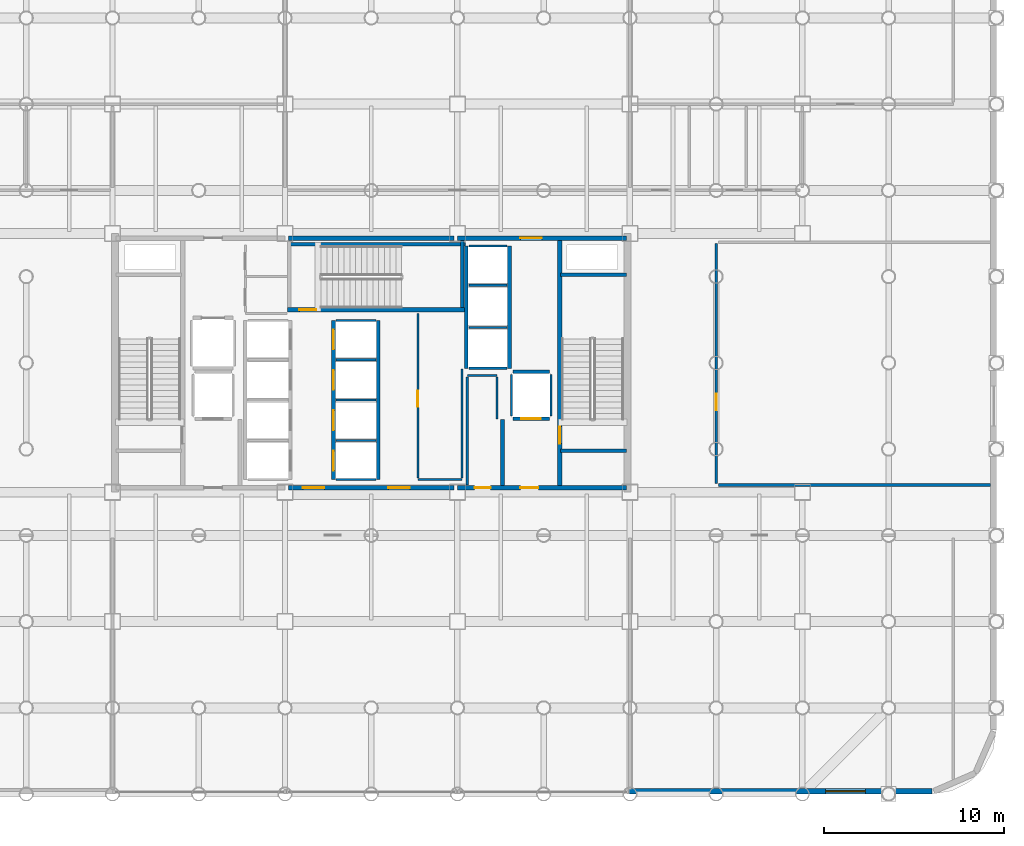
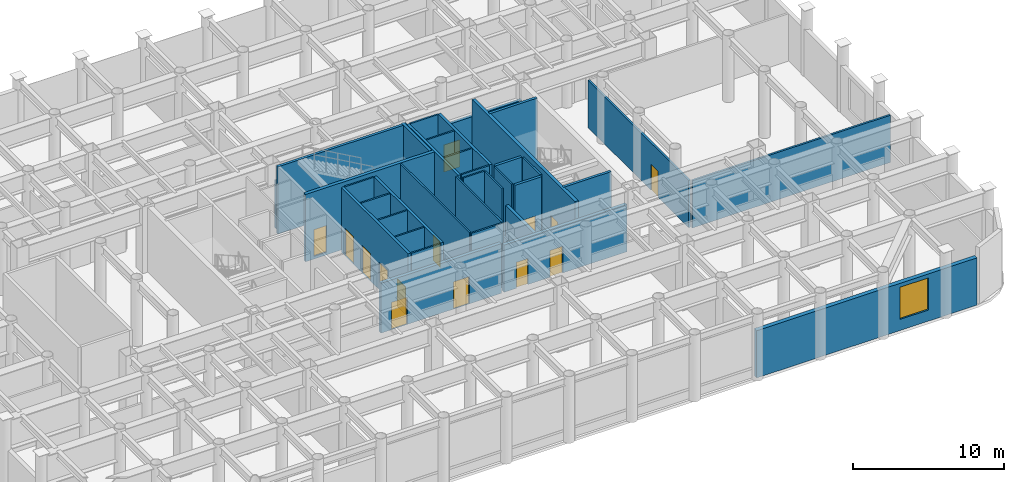
# One storey, part 15 of 20: 37 walls, 14 doors, 1 window, 15 openings.
"""IFC4 building model written with IfcOpenShell, lengths in metres."""

from ifc_helpers import new_model, si_unit, direction, frame, frame_2d, origin, place, context, subcontext, project, spatial, rectangle, extrude, material, layer, layer_set, type_object, element, fill, save


model = new_model("IFC4")

# Units and contexts
model_context = context("Model", 3, precision=1e-05, world=origin(), true_north=direction((0.0, 1.0)))
body_context = subcontext(model_context, "Body", "Model", "MODEL_VIEW")
ifc_project = project(units=[si_unit("LENGTHUNIT", "METRE"), si_unit("AREAUNIT", "SQUARE_METRE"), si_unit("VOLUMEUNIT", "CUBIC_METRE"), si_unit("PLANEANGLEUNIT", "RADIAN"), si_unit("MASSUNIT", "GRAM", prefix="KILO")], contexts=[model_context])

# Site, building, storey
site_placement = place(None, origin())
site = spatial("IfcSite", under=ifc_project, at=site_placement, CompositionType="ELEMENT")
building_placement = place(site_placement, origin())
building = spatial("IfcBuilding", under=site, at=building_placement, Name="Kallvorn Hotel Tower", CompositionType="ELEMENT")
storey_placement = place(building_placement, frame((0.0, 0.0, 24.60009765625)))
storey = spatial("IfcBuildingStorey", under=building, at=storey_placement, Name="L04", CompositionType="ELEMENT", Elevation=24.60009765625)

# Wall, opening, window
ifc_material_1 = material(Name="Precast basalt-clad insulated concrete wall C40/50", Category="masonry")
ifc_layer_1 = layer(ifc_material_1, 0.320068359375)
ifc_layer_set_1 = layer_set([ifc_layer_1], Name="WL_EXT_BAY_320")
wall_type_1 = type_object("IfcWallType", Name="WL_EXT_BAY_320", PredefinedType="SOLIDWALL", material=ifc_layer_set_1)
wall_1_placement = place(storey_placement, frame((31.199951171875, -23.840087890625, 0.0), z_axis=(0.0, 0.0, 1.0), x_axis=(-1.0, 0.0, 0.0)))
wall_1 = element("IfcWall", 1, at=wall_1_placement, inside=storey, type_object=wall_type_1, Name="L04 Podium Exterior Wall EW-L04-SE", PredefinedType="SOLIDWALL", context=body_context, shape_type="SweptSolid", body=[
    extrude(rectangle(XDim=16.849853515625, YDim=0.320068359375, at=frame_2d((8.4248046875, 0.0))), origin(), (0.0, 0.0, 1.0), 3.81982421875),
])
opening_1_placement = place(wall_1_placement, frame((3.699951171875, 0.0, 0.89990234375)))
opening_1 = element("IfcOpeningElement", 2, at=opening_1_placement, cuts=wall_1, Name="Opening W03", PredefinedType="OPENING", context=body_context, shape_type="SweptSolid", body=[
    extrude(rectangle(XDim=2.199951171875, YDim=2.60009765625, at=frame_2d((1.10009765625, 1.300048828125))), frame((0.0, 0.175048828125, 0.0), z_axis=(0.0, -1.0, 0.0), x_axis=(1.0, 0.0, 0.0)), (0.0, 0.0, 1.0), 0.35009765625),
])
ifc_material_2 = material(Name="Double-glazed low-e solar-control dark glass", Category="glass")
window_type = type_object("IfcWindowType", Name="WN_CASC_2200x2600", PartitioningType="SINGLE_PANEL", PredefinedType="WINDOW", material=ifc_material_2)
window_placement = place(opening_1_placement, origin())
window = element("IfcWindow", 3, at=window_placement, inside=storey, type_object=window_type, Name="L04 Podium Window EW-L04-SE", OverallHeight=2.60009765625, OverallWidth=2.199951171875, PartitioningType="SINGLE_PANEL", PredefinedType="WINDOW", context=body_context, shape_type="SweptSolid", body=[
    extrude(rectangle(XDim=2.199951171875, YDim=2.60009765625, at=frame_2d((1.10009765625, 1.300048828125))), frame((0.0, 0.030029296875, 0.0), z_axis=(0.0, -1.0, 0.0), x_axis=(1.0, 0.0, 0.0)), (0.0, 0.0, 1.0), 0.06005859375),
])
fill(opening_1, window)

# Walls
ifc_material_3 = material(Name="Concrete C40/50", Category="concrete")
ifc_layer_2 = layer(ifc_material_3, 0.219970703125)
ifc_layer_set_2 = layer_set([ifc_layer_2], Name="WL_FFL_220")
wall_type_2 = type_object("IfcWallType", Name="WL_FFL_220", PredefinedType="SOLIDWALL", material=ifc_layer_set_2)
wall_2_placement = place(storey_placement, frame((7.300048828125, -6.820068359375, 0.0), z_axis=(0.0, 0.0, 1.0), x_axis=(0.0, 1.0, 0.0)))
element("IfcWall", 4, at=wall_2_placement, inside=storey, type_object=wall_type_2, Name="L04 Firefighting Lobby East Divider Wall", PredefinedType="SOLIDWALL", context=body_context, shape_type="SweptSolid", body=[
    extrude(rectangle(XDim=3.670166015625, YDim=0.219970703125, at=frame_2d((1.8349609375, 0.0))), origin(), (0.0, 0.0, 1.0), 3.81982421875),
])
ifc_material_4 = material(Name="Concrete C40/50", Category="concrete")
ifc_layer_3 = layer(ifc_material_4, 0.199951171875)
ifc_layer_set_3 = layer_set([ifc_layer_3], Name="WL_HOIST_200")
wall_type_3 = type_object("IfcWallType", Name="WL_HOIST_200", PredefinedType="SOLIDWALL", material=ifc_layer_set_3)
for number, where, z_axis, x_axis, name in (
    (5, (10.550048828125, -4.89990234375, -0.22021484375), (0.0, 0.0, 1.0), (1.0, 0.0, 0.0), "L04 Stair ST2 South Wall"),
    (6, (10.550048828125, 4.89990234375, -0.22021484375), (0.0, 0.0, 1.0), (1.0, 0.0, 0.0), "L04 Stair ST2 North Wall"),
):
    element("IfcWall", number, at=place(storey_placement, frame(where, z_axis=z_axis, x_axis=x_axis)), inside=storey, type_object=wall_type_3, Name=name, PredefinedType="SOLIDWALL", context=body_context, shape_type="SweptSolid", body=[
        extrude(rectangle(XDim=3.64990234375, YDim=0.199951171875, at=frame_2d((1.824951171875, 0.0))), origin(), (0.0, 0.0, 1.0), 5.440185546875),
    ])
wall_3_placement = place(storey_placement, frame((-4.64990234375, 6.610107421875, -0.22021484375), z_axis=(0.0, 0.0, 1.0), x_axis=(1.0, 0.0, 0.0)))
element("IfcWall", 7, at=wall_3_placement, inside=storey, type_object=wall_type_3, Name="L04 Stair ST3 Shaft North Wall", PredefinedType="SOLIDWALL", context=body_context, shape_type="SweptSolid", body=[
    extrude(rectangle(XDim=9.89990234375, YDim=0.199951171875, at=frame_2d((4.949951171875, 0.0))), origin(), (0.0, 0.0, 1.0), 5.440185546875),
])
wall_4_placement = place(storey_placement, frame((5.06005859375, 3.080078125, -0.22021484375), z_axis=(0.0, 0.0, 1.0), x_axis=(0.0, 1.0, 0.0)))
element("IfcWall", 8, at=wall_4_placement, inside=storey, type_object=wall_type_3, Name="L04 Stair ST3 East Wall", PredefinedType="SOLIDWALL", context=body_context, shape_type="SweptSolid", body=[
    extrude(rectangle(XDim=3.739990234375, YDim=0.199951171875, at=frame_2d((1.8701171875, 0.0))), origin(), (0.0, 0.0, 1.0), 5.440185546875),
])

# Wall, openings, doors
wall_5_placement = place(storey_placement, frame((-2.10009765625, -6.5, 0.0), z_axis=(0.0, 0.0, 1.0), x_axis=(0.0, 1.0, 0.0)))
wall_5 = element("IfcWall", 9, at=wall_5_placement, inside=storey, type_object=wall_type_3, Name="L04 Lift Bank B2 Landing Wall", PredefinedType="SOLIDWALL", context=body_context, shape_type="SweptSolid", body=[
    extrude(rectangle(XDim=8.85009765625, YDim=0.199951171875, at=frame_2d((4.425048828125, 0.0))), origin(), (0.0, 0.0, 1.0), 5.219970703125),
])
opening_2_placement = place(wall_5_placement, frame((0.5, 0.0, 0.0)))
opening_2 = element("IfcOpeningElement", 10, at=opening_2_placement, cuts=wall_5, Name="Opening LD-PL-05", PredefinedType="OPENING", context=body_context, shape_type="SweptSolid", body=[
    extrude(rectangle(XDim=1.10009765625, YDim=2.199951171875, at=frame_2d((0.550048828125, 1.10009765625))), frame((0.0, 0.114990234375, 0.0), z_axis=(0.0, -1.0, 0.0), x_axis=(1.0, 0.0, 0.0)), (0.0, 0.0, 1.0), 0.22998046875),
])
opening_3_placement = place(wall_5_placement, frame((2.75, 0.0, 0.0)))
opening_3 = element("IfcOpeningElement", 11, at=opening_3_placement, cuts=wall_5, Name="Opening LD-PL-06", PredefinedType="OPENING", context=body_context, shape_type="SweptSolid", body=[
    extrude(rectangle(XDim=1.10009765625, YDim=2.199951171875, at=frame_2d((0.550048828125, 1.10009765625))), frame((0.0, 0.114990234375, 0.0), z_axis=(0.0, -1.0, 0.0), x_axis=(1.0, 0.0, 0.0)), (0.0, 0.0, 1.0), 0.22998046875),
])
opening_4_placement = place(wall_5_placement, frame((5.0, 0.0, 0.0)))
opening_4 = element("IfcOpeningElement", 12, at=opening_4_placement, cuts=wall_5, Name="Opening LD-PL-07", PredefinedType="OPENING", context=body_context, shape_type="SweptSolid", body=[
    extrude(rectangle(XDim=1.10009765625, YDim=2.199951171875, at=frame_2d((0.550048828125, 1.10009765625))), frame((0.0, 0.114990234375, 0.0), z_axis=(0.0, -1.0, 0.0), x_axis=(1.0, 0.0, 0.0)), (0.0, 0.0, 1.0), 0.22998046875),
])
opening_5_placement = place(wall_5_placement, frame((7.25, 0.0, 0.0)))
opening_5 = element("IfcOpeningElement", 13, at=opening_5_placement, cuts=wall_5, Name="Opening LD-PL-08", PredefinedType="OPENING", context=body_context, shape_type="SweptSolid", body=[
    extrude(rectangle(XDim=1.10009765625, YDim=2.199951171875, at=frame_2d((0.550048828125, 1.10009765625))), frame((0.0, 0.114990234375, 0.0), z_axis=(0.0, -1.0, 0.0), x_axis=(1.0, 0.0, 0.0)), (0.0, 0.0, 1.0), 0.22998046875),
])
ifc_material_5 = material(Name="Brushed stainless-steel automatic sliding lift landing door", Category="steel")
door_type_1 = type_object("IfcDoorType", Name="LD_PASS_1100x2200", OperationType="SLIDING_TO_LEFT", PredefinedType="DOOR", material=ifc_material_5)
door_1_placement = place(opening_2_placement, origin())
door_1 = element("IfcDoor", 14, at=door_1_placement, inside=storey, type_object=door_type_1, Name="L04 Lift Landing Sliding Door LD-PL-05", OperationType="SLIDING_TO_LEFT", OverallHeight=2.199951171875, OverallWidth=1.10009765625, PredefinedType="DOOR", context=body_context, shape_type="SweptSolid", body=[
    extrude(rectangle(XDim=1.10009765625, YDim=2.199951171875, at=frame_2d((0.550048828125, 1.10009765625))), frame((0.0, 0.02490234375, 0.0), z_axis=(0.0, -1.0, 0.0), x_axis=(1.0, 0.0, 0.0)), (0.0, 0.0, 1.0), 0.050048828125),
])
fill(opening_2, door_1)
door_2_placement = place(opening_3_placement, origin())
door_2 = element("IfcDoor", 15, at=door_2_placement, inside=storey, type_object=door_type_1, Name="L04 Lift Landing Sliding Door LD-PL-06", OperationType="SLIDING_TO_LEFT", OverallHeight=2.199951171875, OverallWidth=1.10009765625, PredefinedType="DOOR", context=body_context, shape_type="SweptSolid", body=[
    extrude(rectangle(XDim=1.10009765625, YDim=2.199951171875, at=frame_2d((0.550048828125, 1.10009765625))), frame((0.0, 0.02490234375, 0.0), z_axis=(0.0, -1.0, 0.0), x_axis=(1.0, 0.0, 0.0)), (0.0, 0.0, 1.0), 0.050048828125),
])
fill(opening_3, door_2)
door_3_placement = place(opening_4_placement, origin())
door_3 = element("IfcDoor", 16, at=door_3_placement, inside=storey, type_object=door_type_1, Name="L04 Lift Landing Sliding Door LD-PL-07", OperationType="SLIDING_TO_LEFT", OverallHeight=2.199951171875, OverallWidth=1.10009765625, PredefinedType="DOOR", context=body_context, shape_type="SweptSolid", body=[
    extrude(rectangle(XDim=1.10009765625, YDim=2.199951171875, at=frame_2d((0.550048828125, 1.10009765625))), frame((0.0, 0.02490234375, 0.0), z_axis=(0.0, -1.0, 0.0), x_axis=(1.0, 0.0, 0.0)), (0.0, 0.0, 1.0), 0.050048828125),
])
fill(opening_4, door_3)
door_4_placement = place(opening_5_placement, origin())
door_4 = element("IfcDoor", 17, at=door_4_placement, inside=storey, type_object=door_type_1, Name="L04 Lift Landing Sliding Door LD-PL-08", OperationType="SLIDING_TO_LEFT", OverallHeight=2.199951171875, OverallWidth=1.10009765625, PredefinedType="DOOR", context=body_context, shape_type="SweptSolid", body=[
    extrude(rectangle(XDim=1.10009765625, YDim=2.199951171875, at=frame_2d((0.550048828125, 1.10009765625))), frame((0.0, 0.02490234375, 0.0), z_axis=(0.0, -1.0, 0.0), x_axis=(1.0, 0.0, 0.0)), (0.0, 0.0, 1.0), 0.050048828125),
])
fill(opening_5, door_4)

# Walls
wall_6_placement = place(storey_placement, frame((0.39990234375, -6.5, 0.0), z_axis=(0.0, 0.0, 1.0), x_axis=(0.0, 1.0, 0.0)))
element("IfcWall", 18, at=wall_6_placement, inside=storey, type_object=wall_type_3, Name="L04 Lift Bank B2 Rear Shaft Wall", PredefinedType="SOLIDWALL", context=body_context, shape_type="SweptSolid", body=[
    extrude(rectangle(XDim=8.85009765625, YDim=0.199951171875, at=frame_2d((4.425048828125, 0.0))), origin(), (0.0, 0.0, 1.0), 5.219970703125),
])
for number, where, z_axis, x_axis, name in (
    (19, (7.699951171875, -0.300048828125, 0.0), (0.0, 0.0, 1.0), (0.0, 1.0, 0.0), "L04 Lift Bank OBS Landing Wall"),
    (20, (5.300048828125, -0.300048828125, 0.0), (0.0, 0.0, 1.0), (0.0, 1.0, 0.0), "L04 Lift Bank OBS Rear Shaft Wall"),
):
    element("IfcWall", number, at=place(storey_placement, frame(where, z_axis=z_axis, x_axis=x_axis)), inside=storey, type_object=wall_type_3, Name=name, PredefinedType="SOLIDWALL", context=body_context, shape_type="SweptSolid", body=[
        extrude(rectangle(XDim=6.800048828125, YDim=0.199951171875, at=frame_2d((3.39990234375, 0.0))), origin(), (0.0, 0.0, 1.0), 5.219970703125),
    ])

# Wall, opening, door
wall_7_placement = place(storey_placement, frame((7.8798828125, -3.10009765625, 0.0), z_axis=(0.0, 0.0, 1.0), x_axis=(1.0, 0.0, 0.0)))
wall_7 = element("IfcWall", 21, at=wall_7_placement, inside=storey, type_object=wall_type_3, Name="L04 FL-2 Landing Wall", PredefinedType="SOLIDWALL", context=body_context, shape_type="SweptSolid", body=[
    extrude(rectangle(XDim=2.0400390625, YDim=0.199951171875, at=frame_2d((1.02001953125, 0.0))), origin(), (0.0, 0.0, 1.0), 5.219970703125),
])
opening_6_placement = place(wall_7_placement, frame((0.469970703125, 0.0, 0.0)))
opening_6 = element("IfcOpeningElement", 22, at=opening_6_placement, cuts=wall_7, Name="Opening LD-FL-2", PredefinedType="OPENING", context=body_context, shape_type="SweptSolid", body=[
    extrude(rectangle(XDim=1.10009765625, YDim=2.199951171875, at=frame_2d((0.550048828125, 1.10009765625))), frame((0.0, 0.114990234375, 0.0), z_axis=(0.0, -1.0, 0.0), x_axis=(1.0, 0.0, 0.0)), (0.0, 0.0, 1.0), 0.22998046875),
])
door_5_placement = place(opening_6_placement, origin())
door_5 = element("IfcDoor", 23, at=door_5_placement, inside=storey, type_object=door_type_1, Name="L04 Lift Landing Sliding Door LD-FL-2", OperationType="SLIDING_TO_LEFT", OverallHeight=2.199951171875, OverallWidth=1.10009765625, PredefinedType="DOOR", context=body_context, shape_type="SweptSolid", body=[
    extrude(rectangle(XDim=1.10009765625, YDim=2.199951171875, at=frame_2d((0.550048828125, 1.10009765625))), frame((0.0, 0.02490234375, 0.0), z_axis=(0.0, -1.0, 0.0), x_axis=(1.0, 0.0, 0.0)), (0.0, 0.0, 1.0), 0.050048828125),
])
fill(opening_6, door_5)

# Walls
wall_8_placement = place(storey_placement, frame((7.8798828125, -0.5, 0.0), z_axis=(0.0, 0.0, 1.0), x_axis=(1.0, 0.0, 0.0)))
element("IfcWall", 24, at=wall_8_placement, inside=storey, type_object=wall_type_3, Name="L04 FL-2 Rear Shaft Wall", PredefinedType="SOLIDWALL", context=body_context, shape_type="SweptSolid", body=[
    extrude(rectangle(XDim=2.0400390625, YDim=0.199951171875, at=frame_2d((1.02001953125, 0.0))), origin(), (0.0, 0.0, 1.0), 5.219970703125),
])
ifc_material_6 = material(Name="Fire-rated double-layer acoustic gypsum drywall EI 60")
ifc_layer_4 = layer(ifc_material_6, 0.1201171875)
ifc_layer_set_4 = layer_set([ifc_layer_4], Name="WL_INT_120")
wall_type_4 = type_object("IfcWallType", Name="WL_INT_120", PredefinedType="PARTITIONING", material=ifc_layer_set_4)
for number, where, z_axis, x_axis, name in (
    (25, (-1.9599609375, -6.5, 0.0), (0.0, 0.0, 1.0), (1.0, 0.0, 0.0), "L04 Lift Bank B2 South Closure Wall"),
    (26, (-1.9599609375, -4.324951171875, 0.0), (0.0, 0.0, 1.0), (1.0, 0.0, 0.0), "L04 PL-05 Hoistway Divider"),
    (27, (-1.9599609375, -2.074951171875, 0.0), (0.0, 0.0, 1.0), (1.0, 0.0, 0.0), "L04 PL-06 Hoistway Divider"),
    (28, (-1.9599609375, 0.175048828125, 0.0), (0.0, 0.0, 1.0), (1.0, 0.0, 0.0), "L04 PL-07 Hoistway Divider"),
    (29, (-1.9599609375, 2.35009765625, 0.0), (0.0, 0.0, 1.0), (1.0, 0.0, 0.0), "L04 PL-08 Hoistway Divider"),
):
    element("IfcWall", number, at=place(storey_placement, frame(where, z_axis=z_axis, x_axis=x_axis)), inside=storey, type_object=wall_type_4, Name=name, PredefinedType="PARTITIONING", context=body_context, shape_type="SweptSolid", body=[
        extrude(rectangle(XDim=2.219970703125, YDim=0.1201171875, at=frame_2d((1.10986328125, 0.0))), origin(), (0.0, 0.0, 1.0), 5.219970703125),
    ])
for number, where, z_axis, x_axis, name in (
    (30, (5.43994140625, -0.300048828125, 0.0), (0.0, 0.0, 1.0), (1.0, 0.0, 0.0), "L04 Lift Bank OBS South Closure Wall"),
    (31, (5.43994140625, 1.97509765625, 0.0), (0.0, 0.0, 1.0), (1.0, 0.0, 0.0), "L04 OB-01 Hoistway Divider"),
    (32, (5.43994140625, 4.324951171875, 0.0), (0.0, 0.0, 1.0), (1.0, 0.0, 0.0), "L04 OB-02 Hoistway Divider"),
    (33, (5.43994140625, 6.5, 0.0), (0.0, 0.0, 1.0), (1.0, 0.0, 0.0), "L04 OB-03 Hoistway Divider"),
):
    element("IfcWall", number, at=place(storey_placement, frame(where, z_axis=z_axis, x_axis=x_axis)), inside=storey, type_object=wall_type_4, Name=name, PredefinedType="PARTITIONING", context=body_context, shape_type="SweptSolid", body=[
        extrude(rectangle(XDim=2.1201171875, YDim=0.1201171875, at=frame_2d((1.06005859375, 0.0))), origin(), (0.0, 0.0, 1.0), 5.219970703125),
    ])
for number, where, z_axis, x_axis, name in (
    (34, (7.800048828125, -2.9599609375, 0.0), (0.0, 0.0, 1.0), (0.0, 1.0, 0.0), "L04 FL-2 West Shaft Wall"),
    (35, (10.0, -2.9599609375, 0.0), (0.0, 0.0, 1.0), (0.0, 1.0, 0.0), "L04 FL-2 East Shaft Wall"),
):
    element("IfcWall", number, at=place(storey_placement, frame(where, z_axis=z_axis, x_axis=x_axis)), inside=storey, type_object=wall_type_4, Name=name, PredefinedType="PARTITIONING", context=body_context, shape_type="SweptSolid", body=[
        extrude(rectangle(XDim=2.320068359375, YDim=0.1201171875, at=frame_2d((1.16015625, 0.0))), origin(), (0.0, 0.0, 1.0), 5.219970703125),
    ])
wall_9_placement = place(storey_placement, frame((2.60009765625, -6.5, 0.0), z_axis=(0.0, 0.0, 1.0), x_axis=(1.0, 0.0, 0.0)))
element("IfcWall", 36, at=wall_9_placement, inside=storey, type_object=wall_type_4, Name="L04 East Core Consolidated Linen and Supply Store Partition", PredefinedType="PARTITIONING", context=body_context, shape_type="SweptSolid", body=[
    extrude(rectangle(XDim=2.449951171875, YDim=0.1201171875, at=frame_2d((1.22509765625, 0.0))), origin(), (0.0, 0.0, 1.0), 5.219970703125),
])
wall_10_placement = place(storey_placement, frame((5.35009765625, -0.699951171875, 0.0), z_axis=(0.0, 0.0, 1.0), x_axis=(1.0, 0.0, 0.0)))
element("IfcWall", 37, at=wall_10_placement, inside=storey, type_object=wall_type_4, Name="L04 Core Utility and Meter Room Partition", PredefinedType="PARTITIONING", context=body_context, shape_type="SweptSolid", body=[
    extrude(rectangle(XDim=1.64990234375, YDim=0.1201171875, at=frame_2d((0.824951171875, 0.0))), origin(), (0.0, 0.0, 1.0), 5.219970703125),
])

# Wall, opening, door
wall_11_placement = place(storey_placement, frame((2.60009765625, -6.4150390625, 0.0), z_axis=(0.0, 0.0, 1.0), x_axis=(0.0, 1.0, 0.0)))
wall_11 = element("IfcWall", 38, at=wall_11_placement, inside=storey, type_object=wall_type_4, Name="L04 East Core Consolidated Linen and Supply Store Partition", PredefinedType="PARTITIONING", context=body_context, shape_type="SweptSolid", body=[
    extrude(rectangle(XDim=9.1650390625, YDim=0.1201171875, at=frame_2d((4.58251953125, 0.0))), origin(), (0.0, 0.0, 1.0), 5.219970703125),
])
opening_7_placement = place(wall_11_placement, frame((3.965087890625, 0.0, 0.0)))
opening_7 = element("IfcOpeningElement", 39, at=opening_7_placement, cuts=wall_11, Name="Opening SVD1", PredefinedType="OPENING", context=body_context, shape_type="SweptSolid", body=[
    extrude(rectangle(XDim=0.89990234375, YDim=2.10009765625, at=frame_2d((0.449951171875, 1.050048828125))), frame((0.0, 0.074951171875, 0.0), z_axis=(0.0, -1.0, 0.0), x_axis=(1.0, 0.0, 0.0)), (0.0, 0.0, 1.0), 0.150146484375),
])
ifc_material_7 = material(Name="Galvanised painted steel fire-rated door assembly", Category="steel")
door_type_2 = type_object("IfcDoorType", Name="DR_SERV_900x2100", OperationType="NOTDEFINED", PredefinedType="DOOR", material=ifc_material_7)
door_6_placement = place(opening_7_placement, origin())
door_6 = element("IfcDoor", 40, at=door_6_placement, inside=storey, type_object=door_type_2, Name="L04 East Core Consolidated Linen and Supply Store Door", OperationType="SINGLE_SWING_LEFT", OverallHeight=2.10009765625, OverallWidth=0.89990234375, PredefinedType="DOOR", context=body_context, shape_type="SweptSolid", body=[
    extrude(rectangle(XDim=0.89990234375, YDim=2.10009765625, at=frame_2d((0.449951171875, 1.050048828125))), frame((0.0, 0.02490234375, 0.0), z_axis=(0.0, -1.0, 0.0), x_axis=(1.0, 0.0, 0.0)), (0.0, 0.0, 1.0), 0.050048828125),
])
fill(opening_7, door_6)

# Walls
wall_12_placement = place(storey_placement, frame((5.050048828125, -6.4150390625, 0.0), z_axis=(0.0, 0.0, 1.0), x_axis=(0.0, 1.0, 0.0)))
element("IfcWall", 41, at=wall_12_placement, inside=storey, type_object=wall_type_4, Name="L04 East Core Consolidated Linen and Supply Store Partition", PredefinedType="PARTITIONING", context=body_context, shape_type="SweptSolid", body=[
    extrude(rectangle(XDim=6.074951171875, YDim=0.1201171875, at=frame_2d((3.03759765625, 0.0))), origin(), (0.0, 0.0, 1.0), 5.219970703125),
])
wall_13_placement = place(storey_placement, frame((5.35009765625, -6.800048828125, 0.0), z_axis=(0.0, 0.0, 1.0), x_axis=(0.0, 1.0, 0.0)))
element("IfcWall", 42, at=wall_13_placement, inside=storey, type_object=wall_type_4, Name="L04 Core Utility and Meter Room Partition", PredefinedType="PARTITIONING", context=body_context, shape_type="SweptSolid", body=[
    extrude(rectangle(XDim=6.01513671875, YDim=0.1201171875, at=frame_2d((3.007568359375, 0.0))), origin(), (0.0, 0.0, 1.0), 3.81982421875),
])
wall_14_placement = place(storey_placement, frame((7.0, -3.110107421875, 0.0), z_axis=(0.0, 0.0, 1.0), x_axis=(0.0, 1.0, 0.0)))
element("IfcWall", 43, at=wall_14_placement, inside=storey, type_object=wall_type_4, Name="L04 Core Utility and Meter Room Partition", PredefinedType="PARTITIONING", context=body_context, shape_type="SweptSolid", body=[
    extrude(rectangle(XDim=2.3251953125, YDim=0.1201171875, at=frame_2d((1.16259765625, 0.0))), origin(), (0.0, 0.0, 1.0), 5.219970703125),
])
ifc_material_8 = material(Name="Fire-rated double-layer acoustic gypsum drywall EI 60")
ifc_layer_5 = layer(ifc_material_8, 0.14990234375)
ifc_layer_set_5 = layer_set([ifc_layer_5], Name="WL_PART_150")
wall_type_5 = type_object("IfcWallType", Name="WL_PART_150", PredefinedType="PARTITIONING", material=ifc_layer_set_5)
wall_15_placement = place(storey_placement, frame((19.320068359375, -6.800048828125, 0.0), z_axis=(0.0, 0.0, 1.0), x_axis=(1.0, 0.0, 0.0)))
element("IfcWall", 44, at=wall_15_placement, inside=storey, type_object=wall_type_5, Name="L04 East Pilates and Recovery Studio Partition", PredefinedType="PARTITIONING", context=body_context, shape_type="SweptSolid", body=[
    extrude(rectangle(XDim=15.14990234375, YDim=0.14990234375, at=frame_2d((7.574951171875, 0.0))), origin(), (0.0, 0.0, 1.0), 3.81982421875),
])

# Wall, opening, door
wall_16_placement = place(storey_placement, frame((19.199951171875, -6.715087890625, 0.0), z_axis=(0.0, 0.0, 1.0), x_axis=(0.0, 1.0, 0.0)))
wall_16 = element("IfcWall", 45, at=wall_16_placement, inside=storey, type_object=wall_type_5, Name="L04 East Pilates and Recovery Studio Partition", PredefinedType="PARTITIONING", context=body_context, shape_type="SweptSolid", body=[
    extrude(rectangle(XDim=13.3466796875, YDim=0.14990234375, at=frame_2d((6.67333984375, 0.0))), origin(), (0.0, 0.0, 1.0), 3.81982421875),
])
opening_8_placement = place(wall_16_placement, frame((4.08984375, 0.0, 0.0)))
opening_8 = element("IfcOpeningElement", 46, at=opening_8_placement, cuts=wall_16, Name="Opening SVD1", PredefinedType="OPENING", context=body_context, shape_type="SweptSolid", body=[
    extrude(rectangle(XDim=0.89990234375, YDim=2.10009765625, at=frame_2d((0.449951171875, 1.050048828125))), frame((0.0, 0.08984375, 0.0), z_axis=(0.0, -1.0, 0.0), x_axis=(1.0, 0.0, 0.0)), (0.0, 0.0, 1.0), 0.179931640625),
])
door_7_placement = place(opening_8_placement, origin())
door_7 = element("IfcDoor", 47, at=door_7_placement, inside=storey, type_object=door_type_2, Name="L04 East Pilates and Recovery Studio Door", OperationType="SINGLE_SWING_LEFT", OverallHeight=2.10009765625, OverallWidth=0.89990234375, PredefinedType="DOOR", context=body_context, shape_type="SweptSolid", body=[
    extrude(rectangle(XDim=0.89990234375, YDim=2.10009765625, at=frame_2d((0.449951171875, 1.050048828125))), frame((0.0, 0.02490234375, 0.0), z_axis=(0.0, -1.0, 0.0), x_axis=(1.0, 0.0, 0.0)), (0.0, 0.0, 1.0), 0.050048828125),
])
fill(opening_8, door_7)

# Wall, openings, doors
ifc_material_9 = material(Name="Concrete C40/50", Category="concrete")
ifc_layer_6 = layer(ifc_material_9, 0.25)
ifc_layer_set_6 = layer_set([ifc_layer_6], Name="WL_SHAFT_250")
wall_type_6 = type_object("IfcWallType", Name="WL_SHAFT_250", PredefinedType="SOLIDWALL", material=ifc_layer_set_6)
wall_17_placement = place(storey_placement, frame((-4.60009765625, -6.949951171875, 0.0), z_axis=(0.0, 0.0, 1.0), x_axis=(1.0, 0.0, 0.0)))
wall_17 = element("IfcWall", 48, at=wall_17_placement, inside=storey, type_object=wall_type_6, Name="L04 Core South-Central Wall", PredefinedType="SOLIDWALL", context=body_context, shape_type="SweptSolid", body=[
    extrude(rectangle(XDim=9.2001953125, YDim=0.25, at=frame_2d((4.60009765625, 0.0))), origin(), (0.0, 0.0, 1.0), 4.02001953125),
])
opening_9_placement = place(wall_17_placement, frame((0.800048828125, 0.0, 0.0)))
opening_9 = element("IfcOpeningElement", 49, at=opening_9_placement, cuts=wall_17, Name="Opening FD2", PredefinedType="OPENING", context=body_context, shape_type="SweptSolid", body=[
    extrude(rectangle(XDim=1.199951171875, YDim=2.199951171875, at=frame_2d((0.60009765625, 1.10009765625))), frame((0.0, 0.139892578125, 0.0), z_axis=(0.0, -1.0, 0.0), x_axis=(1.0, 0.0, 0.0)), (0.0, 0.0, 1.0), 0.280029296875),
])
opening_10_placement = place(wall_17_placement, frame((5.550048828125, 0.0, 0.0)))
opening_10 = element("IfcOpeningElement", 50, at=opening_10_placement, cuts=wall_17, Name="Opening FD2", PredefinedType="OPENING", context=body_context, shape_type="SweptSolid", body=[
    extrude(rectangle(XDim=1.199951171875, YDim=2.199951171875, at=frame_2d((0.60009765625, 1.10009765625))), frame((0.0, 0.139892578125, 0.0), z_axis=(0.0, -1.0, 0.0), x_axis=(1.0, 0.0, 0.0)), (0.0, 0.0, 1.0), 0.280029296875),
])
ifc_material_10 = material(Name="Galvanised painted steel fire-rated door assembly", Category="steel")
door_type_3 = type_object("IfcDoorType", Name="DR_LOBBY_1200x2200", OperationType="DOUBLE_DOOR_SINGLE_SWING", PredefinedType="DOOR", material=ifc_material_10)
door_8_placement = place(opening_9_placement, origin())
door_8 = element("IfcDoor", 51, at=door_8_placement, inside=storey, type_object=door_type_3, Name="L04 West Passenger Lift Lobby Door", OperationType="DOUBLE_DOOR_SINGLE_SWING", OverallHeight=2.199951171875, OverallWidth=1.199951171875, PredefinedType="DOOR", context=body_context, shape_type="SweptSolid", body=[
    extrude(rectangle(XDim=1.199951171875, YDim=2.199951171875, at=frame_2d((0.60009765625, 1.10009765625))), frame((0.0, 0.02490234375, 0.0), z_axis=(0.0, -1.0, 0.0), x_axis=(1.0, 0.0, 0.0)), (0.0, 0.0, 1.0), 0.050048828125),
])
fill(opening_9, door_8)
door_9_placement = place(opening_10_placement, origin())
door_9 = element("IfcDoor", 52, at=door_9_placement, inside=storey, type_object=door_type_3, Name="L04 East Passenger Lift Lobby Door", OperationType="DOUBLE_DOOR_SINGLE_SWING", OverallHeight=2.199951171875, OverallWidth=1.199951171875, PredefinedType="DOOR", context=body_context, shape_type="SweptSolid", body=[
    extrude(rectangle(XDim=1.199951171875, YDim=2.199951171875, at=frame_2d((0.60009765625, 1.10009765625))), frame((0.0, 0.02490234375, 0.0), z_axis=(0.0, -1.0, 0.0), x_axis=(1.0, 0.0, 0.0)), (0.0, 0.0, 1.0), 0.050048828125),
])
fill(opening_10, door_9)

wall_18_placement = place(storey_placement, frame((4.800048828125, -6.949951171875, 0.0), z_axis=(0.0, 0.0, 1.0), x_axis=(1.0, 0.0, 0.0)))
wall_18 = element("IfcWall", 53, at=wall_18_placement, inside=storey, type_object=wall_type_6, Name="L04 Core South-East Wall", PredefinedType="SOLIDWALL", context=body_context, shape_type="SweptSolid", body=[
    extrude(rectangle(XDim=9.39990234375, YDim=0.25, at=frame_2d((4.699951171875, 0.0))), origin(), (0.0, 0.0, 1.0), 3.81982421875),
])
opening_11_placement = place(wall_18_placement, frame((3.5, 0.0, 0.0)))
opening_11 = element("IfcOpeningElement", 54, at=opening_11_placement, cuts=wall_18, Name="Opening FD1", PredefinedType="OPENING", context=body_context, shape_type="SweptSolid", body=[
    extrude(rectangle(XDim=1.0, YDim=2.14990234375, at=frame_2d((0.5, 1.074951171875))), frame((0.0, 0.139892578125, 0.0), z_axis=(0.0, -1.0, 0.0), x_axis=(1.0, 0.0, 0.0)), (0.0, 0.0, 1.0), 0.280029296875),
])
opening_12_placement = place(wall_18_placement, frame((0.949951171875, 0.0, 0.0)))
opening_12 = element("IfcOpeningElement", 55, at=opening_12_placement, cuts=wall_18, Name="Opening SVD1", PredefinedType="OPENING", context=body_context, shape_type="SweptSolid", body=[
    extrude(rectangle(XDim=0.89990234375, YDim=2.10009765625, at=frame_2d((0.449951171875, 1.050048828125))), frame((0.0, 0.139892578125, 0.0), z_axis=(0.0, -1.0, 0.0), x_axis=(1.0, 0.0, 0.0)), (0.0, 0.0, 1.0), 0.280029296875),
])
ifc_material_11 = material(Name="Galvanised painted steel fire-rated door assembly", Category="steel")
door_type_4 = type_object("IfcDoorType", Name="DR_FFL_1000x2150", OperationType="NOTDEFINED", PredefinedType="DOOR", material=ifc_material_11)
door_10_placement = place(opening_11_placement, origin())
door_10 = element("IfcDoor", 56, at=door_10_placement, inside=storey, type_object=door_type_4, Name="L04 Firefighting Lobby East Door", OperationType="SINGLE_SWING_RIGHT", OverallHeight=2.14990234375, OverallWidth=1.0, PredefinedType="DOOR", context=body_context, shape_type="SweptSolid", body=[
    extrude(rectangle(XDim=1.0, YDim=2.14990234375, at=frame_2d((0.5, 1.074951171875))), frame((0.0, 0.02490234375, 0.0), z_axis=(0.0, -1.0, 0.0), x_axis=(1.0, 0.0, 0.0)), (0.0, 0.0, 1.0), 0.050048828125),
])
fill(opening_11, door_10)
door_11_placement = place(opening_12_placement, origin())
door_11 = element("IfcDoor", 57, at=door_11_placement, inside=storey, type_object=door_type_2, Name="L04 Core Utility and Meter Room Door", OperationType="SINGLE_SWING_RIGHT", OverallHeight=2.10009765625, OverallWidth=0.89990234375, PredefinedType="DOOR", context=body_context, shape_type="SweptSolid", body=[
    extrude(rectangle(XDim=0.89990234375, YDim=2.10009765625, at=frame_2d((0.449951171875, 1.050048828125))), frame((0.0, 0.02490234375, 0.0), z_axis=(0.0, -1.0, 0.0), x_axis=(1.0, 0.0, 0.0)), (0.0, 0.0, 1.0), 0.050048828125),
])
fill(opening_12, door_11)

# Wall
wall_19_placement = place(storey_placement, frame((-4.60009765625, 6.949951171875, 0.0), z_axis=(0.0, 0.0, 1.0), x_axis=(1.0, 0.0, 0.0)))
element("IfcWall", 58, at=wall_19_placement, inside=storey, type_object=wall_type_6, Name="L04 Core North-Central Wall", PredefinedType="SOLIDWALL", context=body_context, shape_type="SweptSolid", body=[
    extrude(rectangle(XDim=9.2001953125, YDim=0.25, at=frame_2d((4.60009765625, 0.0))), origin(), (0.0, 0.0, 1.0), 3.81982421875),
])

# Wall, opening, door
wall_20_placement = place(storey_placement, frame((4.800048828125, 6.949951171875, 0.0), z_axis=(0.0, 0.0, 1.0), x_axis=(1.0, 0.0, 0.0)))
wall_20 = element("IfcWall", 59, at=wall_20_placement, inside=storey, type_object=wall_type_6, Name="L04 Core North-East Wall", PredefinedType="SOLIDWALL", context=body_context, shape_type="SweptSolid", body=[
    extrude(rectangle(XDim=9.39990234375, YDim=0.25, at=frame_2d((4.699951171875, 0.0))), origin(), (0.0, 0.0, 1.0), 3.81982421875),
])
opening_13_placement = place(wall_20_placement, frame((3.5, 0.0, 0.0)))
opening_13 = element("IfcOpeningElement", 60, at=opening_13_placement, cuts=wall_20, Name="Opening FD2", PredefinedType="OPENING", context=body_context, shape_type="SweptSolid", body=[
    extrude(rectangle(XDim=1.199951171875, YDim=2.199951171875, at=frame_2d((0.60009765625, 1.10009765625))), frame((0.0, 0.139892578125, 0.0), z_axis=(0.0, -1.0, 0.0), x_axis=(1.0, 0.0, 0.0)), (0.0, 0.0, 1.0), 0.280029296875),
])
door_12_placement = place(opening_13_placement, origin())
door_12 = element("IfcDoor", 61, at=door_12_placement, inside=storey, type_object=door_type_3, Name="L04 Observatory Shuttle Lobby Door", OperationType="DOUBLE_DOOR_SINGLE_SWING", OverallHeight=2.199951171875, OverallWidth=1.199951171875, PredefinedType="DOOR", context=body_context, shape_type="SweptSolid", body=[
    extrude(rectangle(XDim=1.199951171875, YDim=2.199951171875, at=frame_2d((0.60009765625, 1.10009765625))), frame((0.0, 0.02490234375, 0.0), z_axis=(0.0, -1.0, 0.0), x_axis=(1.0, 0.0, 0.0)), (0.0, 0.0, 1.0), 0.050048828125),
])
fill(opening_13, door_12)

wall_21_placement = place(storey_placement, frame((10.5, -6.820068359375, -0.22021484375), z_axis=(0.0, 0.0, 1.0), x_axis=(0.0, 1.0, 0.0)))
wall_21 = element("IfcWall", 62, at=wall_21_placement, inside=storey, type_object=wall_type_6, Name="L04 Stair ST2 Shaft Wall", PredefinedType="SOLIDWALL", context=body_context, shape_type="SweptSolid", body=[
    extrude(rectangle(XDim=13.64013671875, YDim=0.25, at=frame_2d((6.820068359375, 0.0))), origin(), (0.0, 0.0, 1.0), 5.440185546875),
])
opening_14_placement = place(wall_21_placement, frame((2.320068359375, 0.0, 0.219970703125)))
opening_14 = element("IfcOpeningElement", 63, at=opening_14_placement, cuts=wall_21, Name="Opening SD1", PredefinedType="OPENING", context=body_context, shape_type="SweptSolid", body=[
    extrude(rectangle(XDim=0.949951171875, YDim=2.14990234375, at=frame_2d((0.47509765625, 1.074951171875))), frame((0.0, 0.139892578125, 0.0), z_axis=(0.0, -1.0, 0.0), x_axis=(1.0, 0.0, 0.0)), (0.0, 0.0, 1.0), 0.280029296875),
])
ifc_material_12 = material(Name="Galvanised painted steel fire-rated door assembly", Category="steel")
door_type_5 = type_object("IfcDoorType", Name="DR_STAIR_950x2150", OperationType="NOTDEFINED", PredefinedType="DOOR", material=ifc_material_12)
door_13_placement = place(opening_14_placement, origin())
door_13 = element("IfcDoor", 64, at=door_13_placement, inside=storey, type_object=door_type_5, Name="L04 Exit Stair ST2 Fire Door", OperationType="SINGLE_SWING_RIGHT", OverallHeight=2.14990234375, OverallWidth=0.949951171875, PredefinedType="DOOR", context=body_context, shape_type="SweptSolid", body=[
    extrude(rectangle(XDim=0.949951171875, YDim=2.14990234375, at=frame_2d((0.47509765625, 1.074951171875))), frame((0.0, 0.02490234375, 0.0), z_axis=(0.0, -1.0, 0.0), x_axis=(1.0, 0.0, 0.0)), (0.0, 0.0, 1.0), 0.050048828125),
])
fill(opening_14, door_13)

wall_22_placement = place(storey_placement, frame((-4.64990234375, 2.949951171875, -0.22021484375), z_axis=(0.0, 0.0, 1.0), x_axis=(1.0, 0.0, 0.0)))
wall_22 = element("IfcWall", 65, at=wall_22_placement, inside=storey, type_object=wall_type_6, Name="L04 Stair ST3 Shaft South Wall", PredefinedType="SOLIDWALL", context=body_context, shape_type="SweptSolid", body=[
    extrude(rectangle(XDim=9.89990234375, YDim=0.25, at=frame_2d((4.949951171875, 0.0))), origin(), (0.0, 0.0, 1.0), 5.440185546875),
])
opening_15_placement = place(wall_22_placement, frame((0.64990234375, 0.0, 0.219970703125)))
opening_15 = element("IfcOpeningElement", 66, at=opening_15_placement, cuts=wall_22, Name="Opening SD1", PredefinedType="OPENING", context=body_context, shape_type="SweptSolid", body=[
    extrude(rectangle(XDim=0.949951171875, YDim=2.14990234375, at=frame_2d((0.47509765625, 1.074951171875))), frame((0.0, 0.139892578125, 0.0), z_axis=(0.0, -1.0, 0.0), x_axis=(1.0, 0.0, 0.0)), (0.0, 0.0, 1.0), 0.280029296875),
])
door_14_placement = place(opening_15_placement, origin())
door_14 = element("IfcDoor", 67, at=door_14_placement, inside=storey, type_object=door_type_5, Name="L04 Exit Stair ST3 Fire Door", OperationType="SINGLE_SWING_LEFT", OverallHeight=2.14990234375, OverallWidth=0.949951171875, PredefinedType="DOOR", context=body_context, shape_type="SweptSolid", body=[
    extrude(rectangle(XDim=0.949951171875, YDim=2.14990234375, at=frame_2d((0.47509765625, 1.074951171875))), frame((0.0, 0.02490234375, 0.0), z_axis=(0.0, -1.0, 0.0), x_axis=(1.0, 0.0, 0.0)), (0.0, 0.0, 1.0), 0.050048828125),
])
fill(opening_15, door_14)

save(model, "model.ifc")
